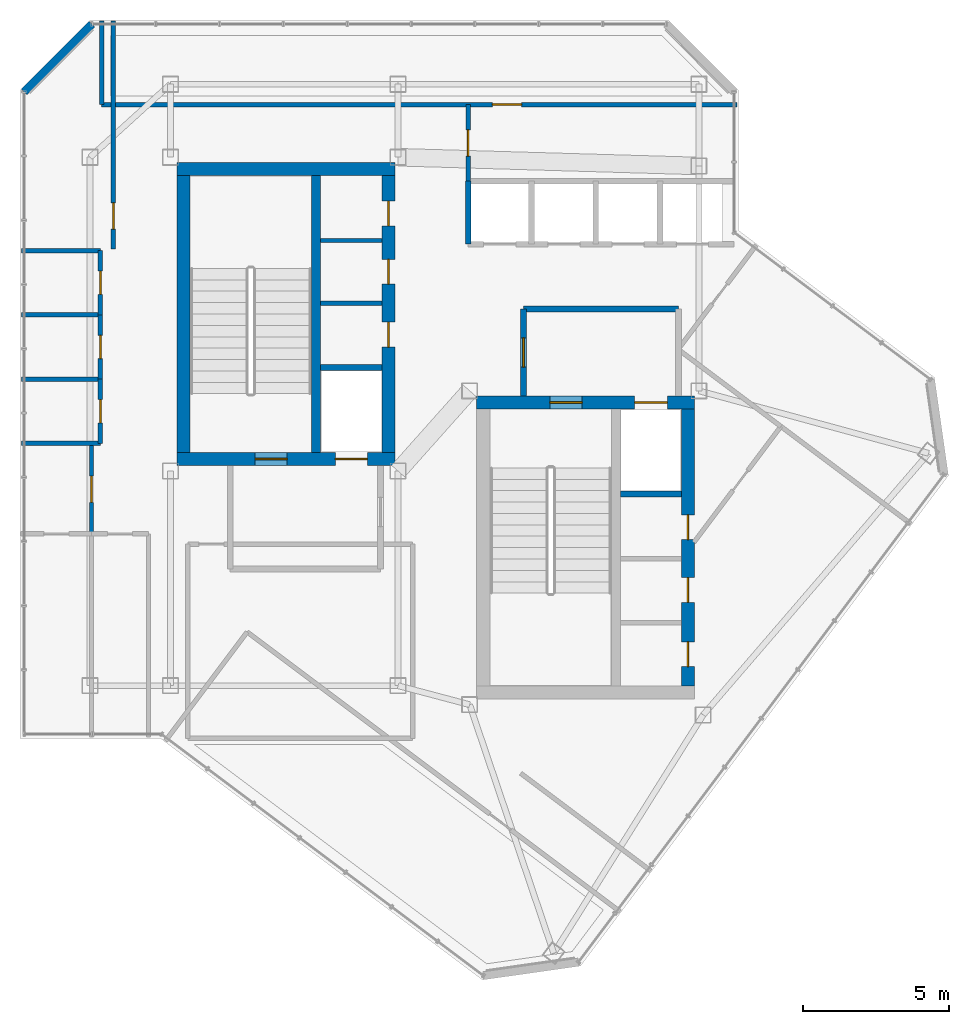
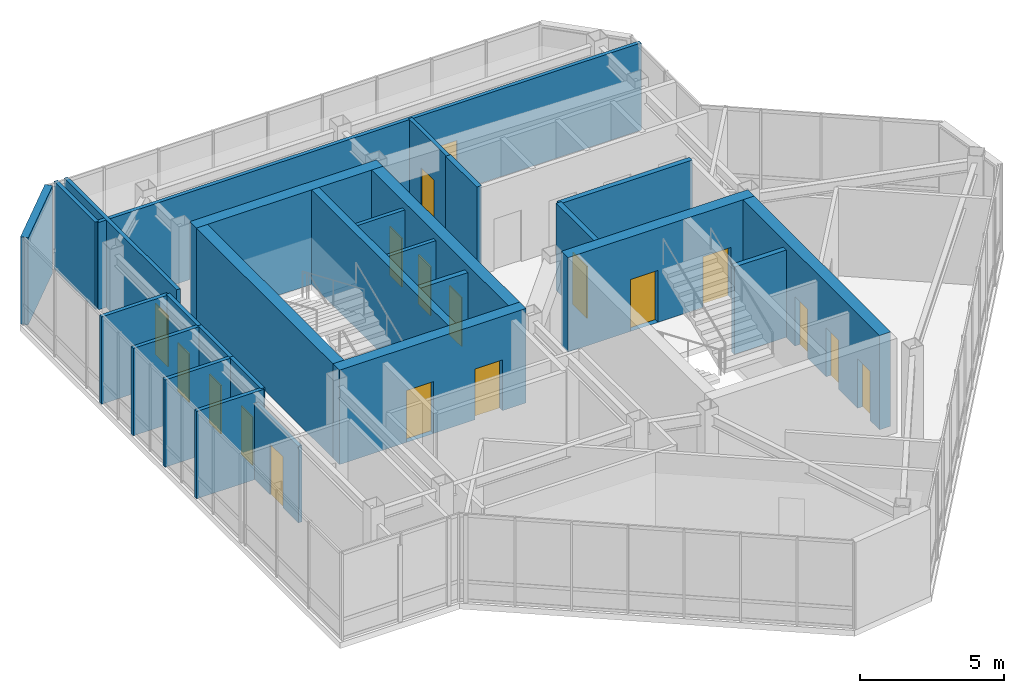
# One storey, part 21 of 24: 27 walls, 18 doors, 18 openings.
"""IFC4 building model written with IfcOpenShell, lengths in metres."""

from ifc_helpers import new_model, si_unit, direction, frame, frame_2d, origin, place, context, subcontext, project, spatial, rectangle, extrude, material, layer, layer_set, type_object, element, fill, save


model = new_model("IFC4")

# Units and contexts
model_context = context("Model", 3, precision=1e-05, world=origin(), true_north=direction((0.0, 1.0)))
body_context = subcontext(model_context, "Body", "Model", "MODEL_VIEW")
ifc_project = project(units=[si_unit("LENGTHUNIT", "METRE"), si_unit("AREAUNIT", "SQUARE_METRE"), si_unit("VOLUMEUNIT", "CUBIC_METRE"), si_unit("PLANEANGLEUNIT", "RADIAN"), si_unit("MASSUNIT", "GRAM", prefix="KILO")], contexts=[model_context])

# Site, building, storey
site_placement = place(None, origin())
site = spatial("IfcSite", under=ifc_project, at=site_placement, CompositionType="ELEMENT")
building_placement = place(site_placement, origin())
building = spatial("IfcBuilding", under=site, at=building_placement, Name="Hatsunagi Terrace Concourse", CompositionType="ELEMENT")
storey_placement = place(building_placement, frame((0.0, 0.0, 285.949951171875)))
storey = spatial("IfcBuildingStorey", under=building, at=storey_placement, Name="L75", CompositionType="ELEMENT", Elevation=285.949951171875)

# Wall, openings, doors
ifc_material_1 = material(Name="Concrete Fc42", Category="concrete")
ifc_layer_1 = layer(ifc_material_1, 0.449951171875)
ifc_layer_set_1 = layer_set([ifc_layer_1], Name="CoreShearWall_Fc42_450")
wall_type_1 = type_object("IfcWallType", Name="CoreShearWall_Fc42_450", PredefinedType="SHEAR", material=ifc_layer_set_1)
wall_1_placement = place(storey_placement, frame((25.77001953125, 32.965087890625, 0.0), z_axis=(0.0, 0.0, 1.0), x_axis=(1.0, 0.0, 0.0)))
wall_1 = element("IfcWall", 1, at=wall_1_placement, inside=storey, type_object=wall_type_1, Name="Core A Shear Wall S L75", PredefinedType="SHEAR", context=body_context, shape_type="SweptSolid", body=[
    extrude(rectangle(XDim=7.47998046875, YDim=0.449951171875, at=frame_2d((3.739990234375, 0.0))), origin(), (0.0, 0.0, 1.0), 4.0),
])
opening_1_placement = place(wall_1_placement, frame((2.679931640625, 0.0, 0.0)))
opening_1 = element("IfcOpeningElement", 2, at=opening_1_placement, cuts=wall_1, Name="Opening DR-110S", PredefinedType="OPENING", context=body_context, shape_type="SweptSolid", body=[
    extrude(rectangle(XDim=1.10009765625, YDim=2.199951171875, at=frame_2d((0.550048828125, 1.10009765625))), frame((0.0, 0.23486328125, 0.0), z_axis=(0.0, -1.0, 0.0), x_axis=(1.0, 0.0, 0.0)), (0.0, 0.0, 1.0), 0.469970703125),
])
opening_2_placement = place(wall_1_placement, frame((5.429931640625, 0.0, 0.0)))
opening_2 = element("IfcOpeningElement", 3, at=opening_2_placement, cuts=wall_1, Name="Opening LD-01", PredefinedType="OPENING", context=body_context, shape_type="SweptSolid", body=[
    extrude(rectangle(XDim=1.10009765625, YDim=2.14990234375, at=frame_2d((0.550048828125, 1.074951171875))), frame((0.0, 0.23486328125, 0.0), z_axis=(0.0, -1.0, 0.0), x_axis=(1.0, 0.0, 0.0)), (0.0, 0.0, 1.0), 0.469970703125),
])
ifc_material_2 = material(Name="Stainless steel", Category="steel")
door_type_1 = type_object("IfcDoorType", Name="LiftLandingDoor_LD01", OperationType="SLIDING_TO_LEFT", PredefinedType="USERDEFINED", material=ifc_material_2)
door_1_placement = place(opening_2_placement, origin())
door_1 = element("IfcDoor", 4, at=door_1_placement, inside=storey, type_object=door_type_1, Name="Lift landing door FF-01 L75", ObjectType="SLIDING_LANDING_DOOR", OperationType="SLIDING_TO_LEFT", OverallHeight=2.14990234375, OverallWidth=1.10009765625, PredefinedType="USERDEFINED", context=body_context, shape_type="SweptSolid", body=[
    extrude(rectangle(XDim=1.10009765625, YDim=2.14990234375, at=frame_2d((0.550048828125, 1.074951171875))), frame((0.0, 0.02490234375, 0.0), z_axis=(0.0, -1.0, 0.0), x_axis=(1.0, 0.0, 0.0)), (0.0, 0.0, 1.0), 0.050048828125),
])
fill(opening_2, door_1)
ifc_material_3 = material(Name="Painted steel", Category="steel")
door_type_2 = type_object("IfcDoorType", Name="StairFireDoor_EI60_1100", OperationType="NOTDEFINED", PredefinedType="DOOR", material=ifc_material_3)
door_2_placement = place(opening_1_placement, origin())
door_2 = element("IfcDoor", 5, at=door_2_placement, inside=storey, type_object=door_type_2, Name="Stair ST-A Exit Door L75", OperationType="SINGLE_SWING_LEFT", OverallHeight=2.199951171875, OverallWidth=1.10009765625, PredefinedType="DOOR", context=body_context, shape_type="SweptSolid", body=[
    extrude(rectangle(XDim=1.10009765625, YDim=2.199951171875, at=frame_2d((0.550048828125, 1.10009765625))), frame((0.0, 0.02490234375, 0.0), z_axis=(0.0, -1.0, 0.0), x_axis=(1.0, 0.0, 0.0)), (0.0, 0.0, 1.0), 0.050048828125),
])
fill(opening_1, door_2)

# Walls
wall_2_placement = place(storey_placement, frame((25.77001953125, 42.89501953125, 0.0), z_axis=(0.0, 0.0, 1.0), x_axis=(1.0, 0.0, 0.0)))
element("IfcWall", 6, at=wall_2_placement, inside=storey, type_object=wall_type_1, Name="Core A Shear Wall N L75", PredefinedType="SHEAR", context=body_context, shape_type="SweptSolid", body=[
    extrude(rectangle(XDim=7.47998046875, YDim=0.449951171875, at=frame_2d((3.739990234375, 0.0))), origin(), (0.0, 0.0, 1.0), 4.0),
])
wall_3_placement = place(storey_placement, frame((25.9951171875, 33.18994140625, 0.0), z_axis=(0.0, 0.0, 1.0), x_axis=(0.0, 1.0, 0.0)))
element("IfcWall", 7, at=wall_3_placement, inside=storey, type_object=wall_type_1, Name="Core A Shear Wall W L75", PredefinedType="SHEAR", context=body_context, shape_type="SweptSolid", body=[
    extrude(rectangle(XDim=9.47998046875, YDim=0.449951171875, at=frame_2d((4.739990234375, 0.0))), origin(), (0.0, 0.0, 1.0), 4.0),
])

# Wall, openings, doors
wall_4_placement = place(storey_placement, frame((33.02490234375, 33.18994140625, 0.0), z_axis=(0.0, 0.0, 1.0), x_axis=(0.0, 1.0, 0.0)))
wall_4 = element("IfcWall", 8, at=wall_4_placement, inside=storey, type_object=wall_type_1, Name="Core A Shear Wall E L75", PredefinedType="SHEAR", context=body_context, shape_type="SweptSolid", body=[
    extrude(rectangle(XDim=9.47998046875, YDim=0.449951171875, at=frame_2d((4.739990234375, 0.0))), origin(), (0.0, 0.0, 1.0), 4.0),
])
opening_3_placement = place(wall_4_placement, frame((3.610107421875, 0.0, 0.0)))
opening_3 = element("IfcOpeningElement", 9, at=opening_3_placement, cuts=wall_4, Name="Opening DR-085", PredefinedType="OPENING", context=body_context, shape_type="SweptSolid", body=[
    extrude(rectangle(XDim=0.85009765625, YDim=2.080078125, at=frame_2d((0.425048828125, 1.0400390625))), frame((0.0, 0.23486328125, 0.0), z_axis=(0.0, -1.0, 0.0), x_axis=(1.0, 0.0, 0.0)), (0.0, 0.0, 1.0), 0.469970703125),
])
opening_4_placement = place(wall_4_placement, frame((5.760009765625, 0.0, 0.0)))
opening_4 = element("IfcOpeningElement", 10, at=opening_4_placement, cuts=wall_4, Name="Opening DR-085", PredefinedType="OPENING", context=body_context, shape_type="SweptSolid", body=[
    extrude(rectangle(XDim=0.85009765625, YDim=2.080078125, at=frame_2d((0.425048828125, 1.0400390625))), frame((0.0, 0.23486328125, 0.0), z_axis=(0.0, -1.0, 0.0), x_axis=(1.0, 0.0, 0.0)), (0.0, 0.0, 1.0), 0.469970703125),
])
opening_5_placement = place(wall_4_placement, frame((7.760009765625, 0.0, 0.0)))
opening_5 = element("IfcOpeningElement", 11, at=opening_5_placement, cuts=wall_4, Name="Opening DR-085", PredefinedType="OPENING", context=body_context, shape_type="SweptSolid", body=[
    extrude(rectangle(XDim=0.85009765625, YDim=2.080078125, at=frame_2d((0.425048828125, 1.0400390625))), frame((0.0, 0.23486328125, 0.0), z_axis=(0.0, -1.0, 0.0), x_axis=(1.0, 0.0, 0.0)), (0.0, 0.0, 1.0), 0.469970703125),
])
ifc_material_4 = material(Name="Painted steel", Category="steel")
door_type_3 = type_object("IfcDoorType", Name="RiserAccessDoor_EI60_850", OperationType="NOTDEFINED", PredefinedType="DOOR", material=ifc_material_4)
door_3_placement = place(opening_3_placement, origin())
door_3 = element("IfcDoor", 12, at=door_3_placement, inside=storey, type_object=door_type_3, Name="Core A Riser Door L75-1", OperationType="SINGLE_SWING_LEFT", OverallHeight=2.080078125, OverallWidth=0.85009765625, PredefinedType="DOOR", context=body_context, shape_type="SweptSolid", body=[
    extrude(rectangle(XDim=0.85009765625, YDim=2.080078125, at=frame_2d((0.425048828125, 1.0400390625))), frame((0.0, 0.02490234375, 0.0), z_axis=(0.0, -1.0, 0.0), x_axis=(1.0, 0.0, 0.0)), (0.0, 0.0, 1.0), 0.050048828125),
])
fill(opening_3, door_3)
door_4_placement = place(opening_4_placement, origin())
door_4 = element("IfcDoor", 13, at=door_4_placement, inside=storey, type_object=door_type_3, Name="Core A Riser Door L75-2", OperationType="SINGLE_SWING_LEFT", OverallHeight=2.080078125, OverallWidth=0.85009765625, PredefinedType="DOOR", context=body_context, shape_type="SweptSolid", body=[
    extrude(rectangle(XDim=0.85009765625, YDim=2.080078125, at=frame_2d((0.425048828125, 1.0400390625))), frame((0.0, 0.02490234375, 0.0), z_axis=(0.0, -1.0, 0.0), x_axis=(1.0, 0.0, 0.0)), (0.0, 0.0, 1.0), 0.050048828125),
])
fill(opening_4, door_4)
door_5_placement = place(opening_5_placement, origin())
door_5 = element("IfcDoor", 14, at=door_5_placement, inside=storey, type_object=door_type_3, Name="Core A Riser Door L75-3", OperationType="SINGLE_SWING_LEFT", OverallHeight=2.080078125, OverallWidth=0.85009765625, PredefinedType="DOOR", context=body_context, shape_type="SweptSolid", body=[
    extrude(rectangle(XDim=0.85009765625, YDim=2.080078125, at=frame_2d((0.425048828125, 1.0400390625))), frame((0.0, 0.02490234375, 0.0), z_axis=(0.0, -1.0, 0.0), x_axis=(1.0, 0.0, 0.0)), (0.0, 0.0, 1.0), 0.050048828125),
])
fill(opening_5, door_5)

wall_5_placement = place(storey_placement, frame((36.0400390625, 34.89501953125, 0.0), z_axis=(0.0, 0.0, 1.0), x_axis=(1.0, 0.0, 0.0)))
wall_5 = element("IfcWall", 15, at=wall_5_placement, inside=storey, type_object=wall_type_1, Name="Core B Shear Wall N L75", PredefinedType="SHEAR", context=body_context, shape_type="SweptSolid", body=[
    extrude(rectangle(XDim=7.4599609375, YDim=0.449951171875, at=frame_2d((3.72998046875, 0.0))), origin(), (0.0, 0.0, 1.0), 4.0),
])
opening_6_placement = place(wall_5_placement, frame((2.510009765625, 0.0, 0.0)))
opening_6 = element("IfcOpeningElement", 16, at=opening_6_placement, cuts=wall_5, Name="Opening DR-110S", PredefinedType="OPENING", context=body_context, shape_type="SweptSolid", body=[
    extrude(rectangle(XDim=1.10009765625, YDim=2.199951171875, at=frame_2d((0.550048828125, 1.10009765625))), frame((0.0, 0.23486328125, 0.0), z_axis=(0.0, -1.0, 0.0), x_axis=(1.0, 0.0, 0.0)), (0.0, 0.0, 1.0), 0.469970703125),
])
opening_7_placement = place(wall_5_placement, frame((5.409912109375, 0.0, 0.0)))
opening_7 = element("IfcOpeningElement", 17, at=opening_7_placement, cuts=wall_5, Name="Opening LD-02", PredefinedType="OPENING", context=body_context, shape_type="SweptSolid", body=[
    extrude(rectangle(XDim=1.1201171875, YDim=2.14990234375, at=frame_2d((0.56005859375, 1.074951171875))), frame((0.0, 0.23486328125, 0.0), z_axis=(0.0, -1.0, 0.0), x_axis=(1.0, 0.0, 0.0)), (0.0, 0.0, 1.0), 0.469970703125),
])
ifc_material_5 = material(Name="Stainless steel", Category="steel")
door_type_4 = type_object("IfcDoorType", Name="LiftLandingDoor_LD02", OperationType="SLIDING_TO_RIGHT", PredefinedType="USERDEFINED", material=ifc_material_5)
door_6_placement = place(opening_7_placement, origin())
door_6 = element("IfcDoor", 18, at=door_6_placement, inside=storey, type_object=door_type_4, Name="Lift landing door FF-02 L75", ObjectType="SLIDING_LANDING_DOOR", OperationType="SLIDING_TO_RIGHT", OverallHeight=2.14990234375, OverallWidth=1.1201171875, PredefinedType="USERDEFINED", context=body_context, shape_type="SweptSolid", body=[
    extrude(rectangle(XDim=1.1201171875, YDim=2.14990234375, at=frame_2d((0.56005859375, 1.074951171875))), frame((0.0, 0.02490234375, 0.0), z_axis=(0.0, -1.0, 0.0), x_axis=(1.0, 0.0, 0.0)), (0.0, 0.0, 1.0), 0.050048828125),
])
fill(opening_7, door_6)
door_7_placement = place(opening_6_placement, origin())
door_7 = element("IfcDoor", 19, at=door_7_placement, inside=storey, type_object=door_type_2, Name="Stair ST-B Exit Door L75", OperationType="SINGLE_SWING_RIGHT", OverallHeight=2.199951171875, OverallWidth=1.10009765625, PredefinedType="DOOR", context=body_context, shape_type="SweptSolid", body=[
    extrude(rectangle(XDim=1.10009765625, YDim=2.199951171875, at=frame_2d((0.550048828125, 1.10009765625))), frame((0.0, 0.02490234375, 0.0), z_axis=(0.0, -1.0, 0.0), x_axis=(1.0, 0.0, 0.0)), (0.0, 0.0, 1.0), 0.050048828125),
])
fill(opening_6, door_7)

wall_6_placement = place(storey_placement, frame((43.27490234375, 25.18994140625, 0.0), z_axis=(0.0, 0.0, 1.0), x_axis=(0.0, 1.0, 0.0)))
wall_6 = element("IfcWall", 20, at=wall_6_placement, inside=storey, type_object=wall_type_1, Name="Core B Shear Wall E L75", PredefinedType="SHEAR", context=body_context, shape_type="SweptSolid", body=[
    extrude(rectangle(XDim=9.47998046875, YDim=0.449951171875, at=frame_2d((4.739990234375, 0.0))), origin(), (0.0, 0.0, 1.0), 4.0),
])
opening_8_placement = place(wall_6_placement, frame((0.659912109375, 0.0, 0.0)))
opening_8 = element("IfcOpeningElement", 21, at=opening_8_placement, cuts=wall_6, Name="Opening DR-085", PredefinedType="OPENING", context=body_context, shape_type="SweptSolid", body=[
    extrude(rectangle(XDim=0.85009765625, YDim=2.080078125, at=frame_2d((0.425048828125, 1.0400390625))), frame((0.0, 0.23486328125, 0.0), z_axis=(0.0, -1.0, 0.0), x_axis=(1.0, 0.0, 0.0)), (0.0, 0.0, 1.0), 0.469970703125),
])
opening_9_placement = place(wall_6_placement, frame((2.860107421875, 0.0, 0.0)))
opening_9 = element("IfcOpeningElement", 22, at=opening_9_placement, cuts=wall_6, Name="Opening DR-085", PredefinedType="OPENING", context=body_context, shape_type="SweptSolid", body=[
    extrude(rectangle(XDim=0.85009765625, YDim=2.080078125, at=frame_2d((0.425048828125, 1.0400390625))), frame((0.0, 0.23486328125, 0.0), z_axis=(0.0, -1.0, 0.0), x_axis=(1.0, 0.0, 0.0)), (0.0, 0.0, 1.0), 0.469970703125),
])
opening_10_placement = place(wall_6_placement, frame((5.010009765625, 0.0, 0.0)))
opening_10 = element("IfcOpeningElement", 23, at=opening_10_placement, cuts=wall_6, Name="Opening DR-085", PredefinedType="OPENING", context=body_context, shape_type="SweptSolid", body=[
    extrude(rectangle(XDim=0.85009765625, YDim=2.080078125, at=frame_2d((0.425048828125, 1.0400390625))), frame((0.0, 0.23486328125, 0.0), z_axis=(0.0, -1.0, 0.0), x_axis=(1.0, 0.0, 0.0)), (0.0, 0.0, 1.0), 0.469970703125),
])
door_8_placement = place(opening_8_placement, origin())
door_8 = element("IfcDoor", 24, at=door_8_placement, inside=storey, type_object=door_type_3, Name="Core B Riser Door L75-1", OperationType="SINGLE_SWING_RIGHT", OverallHeight=2.080078125, OverallWidth=0.85009765625, PredefinedType="DOOR", context=body_context, shape_type="SweptSolid", body=[
    extrude(rectangle(XDim=0.85009765625, YDim=2.080078125, at=frame_2d((0.425048828125, 1.0400390625))), frame((0.0, 0.02490234375, 0.0), z_axis=(0.0, -1.0, 0.0), x_axis=(1.0, 0.0, 0.0)), (0.0, 0.0, 1.0), 0.050048828125),
])
fill(opening_8, door_8)
door_9_placement = place(opening_9_placement, origin())
door_9 = element("IfcDoor", 25, at=door_9_placement, inside=storey, type_object=door_type_3, Name="Core B Riser Door L75-2", OperationType="SINGLE_SWING_RIGHT", OverallHeight=2.080078125, OverallWidth=0.85009765625, PredefinedType="DOOR", context=body_context, shape_type="SweptSolid", body=[
    extrude(rectangle(XDim=0.85009765625, YDim=2.080078125, at=frame_2d((0.425048828125, 1.0400390625))), frame((0.0, 0.02490234375, 0.0), z_axis=(0.0, -1.0, 0.0), x_axis=(1.0, 0.0, 0.0)), (0.0, 0.0, 1.0), 0.050048828125),
])
fill(opening_9, door_9)
door_10_placement = place(opening_10_placement, origin())
door_10 = element("IfcDoor", 26, at=door_10_placement, inside=storey, type_object=door_type_3, Name="Core B Riser Door L75-3", OperationType="SINGLE_SWING_RIGHT", OverallHeight=2.080078125, OverallWidth=0.85009765625, PredefinedType="DOOR", context=body_context, shape_type="SweptSolid", body=[
    extrude(rectangle(XDim=0.85009765625, YDim=2.080078125, at=frame_2d((0.425048828125, 1.0400390625))), frame((0.0, 0.02490234375, 0.0), z_axis=(0.0, -1.0, 0.0), x_axis=(1.0, 0.0, 0.0)), (0.0, 0.0, 1.0), 0.050048828125),
])
fill(opening_10, door_10)

# Walls
ifc_material_6 = material(Name="Concrete Fc48", Category="concrete")
ifc_layer_2 = layer(ifc_material_6, 0.300048828125)
ifc_layer_set_2 = layer_set([ifc_layer_2], Name="CoreStairDivider_Fc48_300")
wall_type_2 = type_object("IfcWallType", Name="CoreStairDivider_Fc48_300", PredefinedType="SHEAR", material=ifc_layer_set_2)
wall_7_placement = place(storey_placement, frame((30.5400390625, 33.18994140625, 0.0), z_axis=(0.0, 0.0, 1.0), x_axis=(0.0, 1.0, 0.0)))
element("IfcWall", 27, at=wall_7_placement, inside=storey, type_object=wall_type_2, Name="Core A Shear Wall D L75", PredefinedType="SHEAR", context=body_context, shape_type="SweptSolid", body=[
    extrude(rectangle(XDim=9.47998046875, YDim=0.300048828125, at=frame_2d((4.739990234375, 0.0))), origin(), (0.0, 0.0, 1.0), 4.0),
])
ifc_material_7 = material(Name="Acoustic mineral board", Category="gypsum")
ifc_layer_3 = layer(ifc_material_7, 0.14990234375)
ifc_layer_set_3 = layer_set([ifc_layer_3], Name="PartitionWall_EI60_150")
wall_type_3 = type_object("IfcWallType", Name="PartitionWall_EI60_150", PredefinedType="PARTITIONING", material=ifc_layer_set_3)
for number, where, z_axis, x_axis, name in (
    (28, (30.699951171875, 38.300048828125, 0.0), (0.0, 0.0, 1.0), (1.0, 0.0, 0.0), "Interior Partition IW-L75-002"),
    (29, (30.699951171875, 40.449951171875, 0.0), (0.0, 0.0, 1.0), (1.0, 0.0, 0.0), "Interior Partition IW-L75-003"),
):
    element("IfcWall", number, at=place(storey_placement, frame(where, z_axis=z_axis, x_axis=x_axis)), inside=storey, type_object=wall_type_3, Name=name, PredefinedType="PARTITIONING", context=body_context, shape_type="SweptSolid", body=[
        extrude(rectangle(XDim=2.10009765625, YDim=0.14990234375, at=frame_2d((1.050048828125, 0.0))), origin(), (0.0, 0.0, 1.0), 3.699951171875),
    ])
for number, where, z_axis, x_axis, name in (
    (30, (20.449951171875, 33.5, 0.0), (0.0, 0.0, 1.0), (1.0, 0.0, 0.0), "Interior Partition IW-L75-019"),
    (31, (20.449951171875, 40.10009765625, 0.0), (0.0, 0.0, 1.0), (1.0, 0.0, 0.0), "Interior Partition IW-L75-020"),
    (32, (20.449951171875, 35.699951171875, 0.0), (0.0, 0.0, 1.0), (1.0, 0.0, 0.0), "Interior Partition IW-L75-021"),
    (33, (20.449951171875, 37.89990234375, 0.0), (0.0, 0.0, 1.0), (1.0, 0.0, 0.0), "Interior Partition IW-L75-022"),
):
    element("IfcWall", number, at=place(storey_placement, frame(where, z_axis=z_axis, x_axis=x_axis)), inside=storey, type_object=wall_type_3, Name=name, PredefinedType="PARTITIONING", context=body_context, shape_type="SweptSolid", body=[
        extrude(rectangle(XDim=2.699951171875, YDim=0.14990234375, at=frame_2d((1.35009765625, 0.0))), origin(), (0.0, 0.0, 1.0), 3.699951171875),
    ])

# Wall, opening, door
wall_8_placement = place(storey_placement, frame((23.14990234375, 33.5, 0.0), z_axis=(0.0, 0.0, 1.0), x_axis=(0.0, 1.0, 0.0)))
wall_8 = element("IfcWall", 34, at=wall_8_placement, inside=storey, type_object=wall_type_3, Name="Interior Partition IW-L75-023", PredefinedType="PARTITIONING", context=body_context, shape_type="SweptSolid", body=[
    extrude(rectangle(XDim=2.199951171875, YDim=0.14990234375, at=frame_2d((1.10009765625, 0.0))), origin(), (0.0, 0.0, 1.0), 3.699951171875),
])
opening_11_placement = place(wall_8_placement, frame((0.699951171875, 0.0, 0.0)))
opening_11 = element("IfcOpeningElement", 35, at=opening_11_placement, cuts=wall_8, Name="Opening DR-080", PredefinedType="OPENING", context=body_context, shape_type="SweptSolid", body=[
    extrude(rectangle(XDim=0.800048828125, YDim=2.06005859375, at=frame_2d((0.39990234375, 1.030029296875))), frame((0.0, 0.0849609375, 0.0), z_axis=(0.0, -1.0, 0.0), x_axis=(1.0, 0.0, 0.0)), (0.0, 0.0, 1.0), 0.169921875),
])
ifc_material_8 = material(Name="Hardwood timber", Category="wood")
door_type_5 = type_object("IfcDoorType", Name="BathroomDoor_800", OperationType="NOTDEFINED", PredefinedType="DOOR", material=ifc_material_8)
door_11_placement = place(opening_11_placement, origin())
door_11 = element("IfcDoor", 36, at=door_11_placement, inside=storey, type_object=door_type_5, Name="Accessible WC Door L75", OperationType="SINGLE_SWING_LEFT", OverallHeight=2.06005859375, OverallWidth=0.800048828125, PredefinedType="DOOR", context=body_context, shape_type="SweptSolid", body=[
    extrude(rectangle(XDim=0.800048828125, YDim=2.06005859375, at=frame_2d((0.39990234375, 1.030029296875))), frame((0.0, 0.02490234375, 0.0), z_axis=(0.0, -1.0, 0.0), x_axis=(1.0, 0.0, 0.0)), (0.0, 0.0, 1.0), 0.050048828125),
])
fill(opening_11, door_11)

wall_9_placement = place(storey_placement, frame((23.14990234375, 35.699951171875, 0.0), z_axis=(0.0, 0.0, 1.0), x_axis=(0.0, 1.0, 0.0)))
wall_9 = element("IfcWall", 37, at=wall_9_placement, inside=storey, type_object=wall_type_3, Name="Interior Partition IW-L75-024", PredefinedType="PARTITIONING", context=body_context, shape_type="SweptSolid", body=[
    extrude(rectangle(XDim=2.199951171875, YDim=0.14990234375, at=frame_2d((1.10009765625, 0.0))), origin(), (0.0, 0.0, 1.0), 3.699951171875),
])
opening_12_placement = place(wall_9_placement, frame((0.699951171875, 0.0, 0.0)))
opening_12 = element("IfcOpeningElement", 38, at=opening_12_placement, cuts=wall_9, Name="Opening DR-080", PredefinedType="OPENING", context=body_context, shape_type="SweptSolid", body=[
    extrude(rectangle(XDim=0.800048828125, YDim=2.06005859375, at=frame_2d((0.39990234375, 1.030029296875))), frame((0.0, 0.0849609375, 0.0), z_axis=(0.0, -1.0, 0.0), x_axis=(1.0, 0.0, 0.0)), (0.0, 0.0, 1.0), 0.169921875),
])
door_12_placement = place(opening_12_placement, origin())
door_12 = element("IfcDoor", 39, at=door_12_placement, inside=storey, type_object=door_type_5, Name="Female Restroom Door L75", OperationType="SINGLE_SWING_LEFT", OverallHeight=2.06005859375, OverallWidth=0.800048828125, PredefinedType="DOOR", context=body_context, shape_type="SweptSolid", body=[
    extrude(rectangle(XDim=0.800048828125, YDim=2.06005859375, at=frame_2d((0.39990234375, 1.030029296875))), frame((0.0, 0.02490234375, 0.0), z_axis=(0.0, -1.0, 0.0), x_axis=(1.0, 0.0, 0.0)), (0.0, 0.0, 1.0), 0.050048828125),
])
fill(opening_12, door_12)

wall_10_placement = place(storey_placement, frame((23.14990234375, 37.89990234375, 0.0), z_axis=(0.0, 0.0, 1.0), x_axis=(0.0, 1.0, 0.0)))
wall_10 = element("IfcWall", 40, at=wall_10_placement, inside=storey, type_object=wall_type_3, Name="Interior Partition IW-L75-025", PredefinedType="PARTITIONING", context=body_context, shape_type="SweptSolid", body=[
    extrude(rectangle(XDim=2.2001953125, YDim=0.14990234375, at=frame_2d((1.10009765625, 0.0))), origin(), (0.0, 0.0, 1.0), 3.699951171875),
])
opening_13_placement = place(wall_10_placement, frame((0.699951171875, 0.0, 0.0)))
opening_13 = element("IfcOpeningElement", 41, at=opening_13_placement, cuts=wall_10, Name="Opening DR-080", PredefinedType="OPENING", context=body_context, shape_type="SweptSolid", body=[
    extrude(rectangle(XDim=0.800048828125, YDim=2.06005859375, at=frame_2d((0.39990234375, 1.030029296875))), frame((0.0, 0.0849609375, 0.0), z_axis=(0.0, -1.0, 0.0), x_axis=(1.0, 0.0, 0.0)), (0.0, 0.0, 1.0), 0.169921875),
])
door_13_placement = place(opening_13_placement, origin())
door_13 = element("IfcDoor", 42, at=door_13_placement, inside=storey, type_object=door_type_5, Name="Male Restroom Door L75", OperationType="SINGLE_SWING_RIGHT", OverallHeight=2.06005859375, OverallWidth=0.800048828125, PredefinedType="DOOR", context=body_context, shape_type="SweptSolid", body=[
    extrude(rectangle(XDim=0.800048828125, YDim=2.06005859375, at=frame_2d((0.39990234375, 1.030029296875))), frame((0.0, 0.02490234375, 0.0), z_axis=(0.0, -1.0, 0.0), x_axis=(1.0, 0.0, 0.0)), (0.0, 0.0, 1.0), 0.050048828125),
])
fill(opening_13, door_13)

wall_11_placement = place(storey_placement, frame((23.199951171875, 45.10009765625, 0.0), z_axis=(0.0, 0.0, 1.0), x_axis=(1.0, 0.0, 0.0)))
wall_11 = element("IfcWall", 43, at=wall_11_placement, inside=storey, type_object=wall_type_3, Name="Interior Partition IW-L75-030", PredefinedType="PARTITIONING", context=body_context, shape_type="SweptSolid", body=[
    extrude(rectangle(XDim=21.760009765625, YDim=0.14990234375, at=frame_2d((10.8798828125, 0.0))), origin(), (0.0, 0.0, 1.0), 3.699951171875),
])
opening_14_placement = place(wall_11_placement, frame((13.3798828125, 0.0, 0.0)))
opening_14 = element("IfcOpeningElement", 44, at=opening_14_placement, cuts=wall_11, Name="Opening DR-100S", PredefinedType="OPENING", context=body_context, shape_type="SweptSolid", body=[
    extrude(rectangle(XDim=1.0, YDim=2.14990234375, at=frame_2d((0.5, 1.074951171875))), frame((0.0, 0.0849609375, 0.0), z_axis=(0.0, -1.0, 0.0), x_axis=(1.0, 0.0, 0.0)), (0.0, 0.0, 1.0), 0.169921875),
])
ifc_material_9 = material(Name="Hardwood timber", Category="wood")
door_type_6 = type_object("IfcDoorType", Name="SuiteDoor_EI30_1000", OperationType="NOTDEFINED", PredefinedType="DOOR", material=ifc_material_9)
door_14_placement = place(opening_14_placement, origin())
door_14 = element("IfcDoor", 45, at=door_14_placement, inside=storey, type_object=door_type_6, Name="Observation Bar L75-CRN1 Door", OperationType="SINGLE_SWING_RIGHT", OverallHeight=2.14990234375, OverallWidth=1.0, PredefinedType="DOOR", context=body_context, shape_type="SweptSolid", body=[
    extrude(rectangle(XDim=1.0, YDim=2.14990234375, at=frame_2d((0.5, 1.074951171875))), frame((0.0, 0.02490234375, 0.0), z_axis=(0.0, -1.0, 0.0), x_axis=(1.0, 0.0, 0.0)), (0.0, 0.0, 1.0), 0.050048828125),
])
fill(opening_14, door_14)

# Wall
wall_12_placement = place(storey_placement, frame((23.199951171875, 45.10009765625, 0.0), z_axis=(0.0, 0.0, 1.0), x_axis=(0.0, 1.0, 0.0)))
element("IfcWall", 46, at=wall_12_placement, inside=storey, type_object=wall_type_3, Name="Interior Partition IW-L75-031", PredefinedType="PARTITIONING", context=body_context, shape_type="SweptSolid", body=[
    extrude(rectangle(XDim=2.85986328125, YDim=0.14990234375, at=frame_2d((1.429931640625, 0.0))), origin(), (0.0, 0.0, 1.0), 3.699951171875),
])

# Wall, opening, door
wall_13_placement = place(storey_placement, frame((35.75, 42.47998046875, 0.0), z_axis=(0.0, 0.0, 1.0), x_axis=(0.0, 1.0, 0.0)))
wall_13 = element("IfcWall", 47, at=wall_13_placement, inside=storey, type_object=wall_type_3, Name="Interior Partition IW-L75-032", PredefinedType="PARTITIONING", context=body_context, shape_type="SweptSolid", body=[
    extrude(rectangle(XDim=2.6201171875, YDim=0.14990234375, at=frame_2d((1.31005859375, 0.0))), origin(), (0.0, 0.0, 1.0), 3.699951171875),
])
opening_15_placement = place(wall_13_placement, frame((0.860107421875, 0.0, 0.0)))
opening_15 = element("IfcOpeningElement", 48, at=opening_15_placement, cuts=wall_13, Name="Opening DR-090", PredefinedType="OPENING", context=body_context, shape_type="SweptSolid", body=[
    extrude(rectangle(XDim=0.89990234375, YDim=2.14990234375, at=frame_2d((0.449951171875, 1.074951171875))), frame((0.0, 0.0849609375, 0.0), z_axis=(0.0, -1.0, 0.0), x_axis=(1.0, 0.0, 0.0)), (0.0, 0.0, 1.0), 0.169921875),
])
ifc_material_10 = material(Name="Hardwood timber", Category="wood")
door_type_7 = type_object("IfcDoorType", Name="CrownPavilionDoor_EI30_900", OperationType="NOTDEFINED", PredefinedType="DOOR", material=ifc_material_10)
door_15_placement = place(opening_15_placement, origin())
door_15 = element("IfcDoor", 49, at=door_15_placement, inside=storey, type_object=door_type_7, Name="Crown Tea Salon L75-CRTEA Door", OperationType="SINGLE_SWING_RIGHT", OverallHeight=2.14990234375, OverallWidth=0.89990234375, PredefinedType="DOOR", context=body_context, shape_type="SweptSolid", body=[
    extrude(rectangle(XDim=0.89990234375, YDim=2.14990234375, at=frame_2d((0.449951171875, 1.074951171875))), frame((0.0, 0.02490234375, 0.0), z_axis=(0.0, -1.0, 0.0), x_axis=(1.0, 0.0, 0.0)), (0.0, 0.0, 1.0), 0.050048828125),
])
fill(opening_15, door_15)

wall_14_placement = place(storey_placement, frame((22.85009765625, 30.39990234375, 0.0), z_axis=(0.0, 0.0, 1.0), x_axis=(0.0, 1.0, 0.0)))
wall_14 = element("IfcWall", 50, at=wall_14_placement, inside=storey, type_object=wall_type_3, Name="Interior Partition IW-L75-037", PredefinedType="PARTITIONING", context=body_context, shape_type="SweptSolid", body=[
    extrude(rectangle(XDim=3.050048828125, YDim=0.14990234375, at=frame_2d((1.52490234375, 0.0))), origin(), (0.0, 0.0, 1.0), 3.2451171875),
])
opening_16_placement = place(wall_14_placement, frame((1.074951171875, 0.0, 0.0)))
opening_16 = element("IfcOpeningElement", 51, at=opening_16_placement, cuts=wall_14, Name="Opening DR-090", PredefinedType="OPENING", context=body_context, shape_type="SweptSolid", body=[
    extrude(rectangle(XDim=0.89990234375, YDim=2.14990234375, at=frame_2d((0.449951171875, 1.074951171875))), frame((0.0, 0.0849609375, 0.0), z_axis=(0.0, -1.0, 0.0), x_axis=(1.0, 0.0, 0.0)), (0.0, 0.0, 1.0), 0.169921875),
])
door_16_placement = place(opening_16_placement, origin())
door_16 = element("IfcDoor", 52, at=door_16_placement, inside=storey, type_object=door_type_7, Name="Design Studio L75-CRSW Door", OperationType="SINGLE_SWING_LEFT", OverallHeight=2.14990234375, OverallWidth=0.89990234375, PredefinedType="DOOR", context=body_context, shape_type="SweptSolid", body=[
    extrude(rectangle(XDim=0.89990234375, YDim=2.14990234375, at=frame_2d((0.449951171875, 1.074951171875))), frame((0.0, 0.02490234375, 0.0), z_axis=(0.0, -1.0, 0.0), x_axis=(1.0, 0.0, 0.0)), (0.0, 0.0, 1.0), 0.050048828125),
])
fill(opening_16, door_16)

wall_15_placement = place(storey_placement, frame((23.60009765625, 40.14990234375, 0.0), z_axis=(0.0, 0.0, 1.0), x_axis=(0.0, 1.0, 0.0)))
wall_15 = element("IfcWall", 53, at=wall_15_placement, inside=storey, type_object=wall_type_3, Name="Interior Partition IW-L75-038", PredefinedType="PARTITIONING", context=body_context, shape_type="SweptSolid", body=[
    extrude(rectangle(XDim=7.81005859375, YDim=0.14990234375, at=frame_2d((3.905029296875, 0.0))), origin(), (0.0, 0.0, 1.0), 3.699951171875),
])
opening_17_placement = place(wall_15_placement, frame((0.68798828125, 0.0, 0.0)))
opening_17 = element("IfcOpeningElement", 54, at=opening_17_placement, cuts=wall_15, Name="Opening DR-090", PredefinedType="OPENING", context=body_context, shape_type="SweptSolid", body=[
    extrude(rectangle(XDim=0.89990234375, YDim=2.14990234375, at=frame_2d((0.449951171875, 1.074951171875))), frame((0.0, 0.0849609375, 0.0), z_axis=(0.0, -1.0, 0.0), x_axis=(1.0, 0.0, 0.0)), (0.0, 0.0, 1.0), 0.169921875),
])
door_17_placement = place(opening_17_placement, origin())
door_17 = element("IfcDoor", 55, at=door_17_placement, inside=storey, type_object=door_type_7, Name="Crown Executive Suite L75-CRNW Door", OperationType="SINGLE_SWING_RIGHT", OverallHeight=2.14990234375, OverallWidth=0.89990234375, PredefinedType="DOOR", context=body_context, shape_type="SweptSolid", body=[
    extrude(rectangle(XDim=0.89990234375, YDim=2.14990234375, at=frame_2d((0.449951171875, 1.074951171875))), frame((0.0, 0.02490234375, 0.0), z_axis=(0.0, -1.0, 0.0), x_axis=(1.0, 0.0, 0.0)), (0.0, 0.0, 1.0), 0.050048828125),
])
fill(opening_17, door_17)

# Walls
ifc_material_11 = material(Name="Acoustic mineral board", Category="gypsum")
ifc_layer_4 = layer(ifc_material_11, 0.199951171875)
ifc_layer_set_4 = layer_set([ifc_layer_4], Name="ShaftWall_EI120_200")
wall_type_4 = type_object("IfcWallType", Name="ShaftWall_EI120_200", PredefinedType="STANDARD", material=ifc_layer_set_4)
wall_16_placement = place(storey_placement, frame((30.699951171875, 36.10009765625, 0.0), z_axis=(0.0, 0.0, 1.0), x_axis=(1.0, 0.0, 0.0)))
element("IfcWall", 56, at=wall_16_placement, inside=storey, type_object=wall_type_4, Name="Interior Partition IW-L75-001", PredefinedType="STANDARD", context=body_context, shape_type="SweptSolid", body=[
    extrude(rectangle(XDim=2.10009765625, YDim=0.199951171875, at=frame_2d((1.050048828125, 0.0))), origin(), (0.0, 0.0, 1.0), 3.699951171875),
])
wall_17_placement = place(storey_placement, frame((40.969970703125, 31.760009765625, 0.0), z_axis=(0.0, 0.0, 1.0), x_axis=(1.0, 0.0, 0.0)))
element("IfcWall", 57, at=wall_17_placement, inside=storey, type_object=wall_type_4, Name="Interior Partition IW-L75-004", PredefinedType="STANDARD", context=body_context, shape_type="SweptSolid", body=[
    extrude(rectangle(XDim=2.080078125, YDim=0.199951171875, at=frame_2d((1.0400390625, 0.0))), origin(), (0.0, 0.0, 1.0), 3.699951171875),
])
wall_18_placement = place(storey_placement, frame((37.64990234375, 38.10009765625, 0.0), z_axis=(0.0, 0.0, 1.0), x_axis=(1.0, 0.0, 0.0)))
element("IfcWall", 58, at=wall_18_placement, inside=storey, type_object=wall_type_4, Name="Interior Partition IW-L75-010", PredefinedType="STANDARD", context=body_context, shape_type="SweptSolid", body=[
    extrude(rectangle(XDim=5.300048828125, YDim=0.199951171875, at=frame_2d((2.64990234375, 0.0))), origin(), (0.0, 0.0, 1.0), 3.699951171875),
])

# Wall, opening, door
wall_19_placement = place(storey_placement, frame((37.64990234375, 35.1201171875, 0.0), z_axis=(0.0, 0.0, 1.0), x_axis=(0.0, 1.0, 0.0)))
wall_19 = element("IfcWall", 59, at=wall_19_placement, inside=storey, type_object=wall_type_4, Name="Interior Partition IW-L75-012", PredefinedType="STANDARD", context=body_context, shape_type="SweptSolid", body=[
    extrude(rectangle(XDim=2.97998046875, YDim=0.199951171875, at=frame_2d((1.489990234375, 0.0))), origin(), (0.0, 0.0, 1.0), 3.699951171875),
])
opening_18_placement = place(wall_19_placement, frame((0.989990234375, 0.0, 0.0)))
opening_18 = element("IfcOpeningElement", 60, at=opening_18_placement, cuts=wall_19, Name="Opening DR-100F", PredefinedType="OPENING", context=body_context, shape_type="SweptSolid", body=[
    extrude(rectangle(XDim=1.0, YDim=2.199951171875, at=frame_2d((0.5, 1.10009765625))), frame((0.0, 0.10986328125, 0.0), z_axis=(0.0, -1.0, 0.0), x_axis=(1.0, 0.0, 0.0)), (0.0, 0.0, 1.0), 0.219970703125),
])
ifc_material_12 = material(Name="Painted steel", Category="steel")
door_type_8 = type_object("IfcDoorType", Name="FireDoor_EI60_1000", OperationType="NOTDEFINED", PredefinedType="DOOR", material=ifc_material_12)
door_18_placement = place(opening_18_placement, origin())
door_18 = element("IfcDoor", 61, at=door_18_placement, inside=storey, type_object=door_type_8, Name="Firefighting Lobby B Door L75", OperationType="SINGLE_SWING_RIGHT", OverallHeight=2.199951171875, OverallWidth=1.0, PredefinedType="DOOR", context=body_context, shape_type="SweptSolid", body=[
    extrude(rectangle(XDim=1.0, YDim=2.199951171875, at=frame_2d((0.5, 1.10009765625))), frame((0.0, 0.02490234375, 0.0), z_axis=(0.0, -1.0, 0.0), x_axis=(1.0, 0.0, 0.0)), (0.0, 0.0, 1.0), 0.050048828125),
])
fill(opening_18, door_18)

# Walls
wall_20_placement = place(storey_placement, frame((35.75, 40.320068359375, 0.0), z_axis=(0.0, 0.0, 1.0), x_axis=(0.0, 1.0, 0.0)))
element("IfcWall", 62, at=wall_20_placement, inside=storey, type_object=wall_type_4, Name="Interior Partition IW-L75-014", PredefinedType="STANDARD", context=body_context, shape_type="SweptSolid", body=[
    extrude(rectangle(XDim=2.159912109375, YDim=0.199951171875, at=frame_2d((1.080078125, 0.0))), origin(), (0.0, 0.0, 1.0), 3.699951171875),
])
ifc_material_13 = material(Name="Autoclaved Lightweight Concrete and Terracotta Cladding", Category="masonry")
ifc_layer_5 = layer(ifc_material_13, 0.280029296875)
ifc_layer_set_5 = layer_set([ifc_layer_5], Name="TerracottaSpandrelWall_280")
wall_type_5 = type_object("IfcWallType", Name="TerracottaSpandrelWall_280", PredefinedType="STANDARD", material=ifc_layer_set_5)
wall_21_placement = place(storey_placement, frame((20.5400390625, 45.5419921875, 0.0), z_axis=(0.0, 0.0, 1.0), x_axis=(0.707069542501, 0.707144017911, 0.0)))
element("IfcWall", 63, at=wall_21_placement, inside=storey, type_object=wall_type_5, Name="Exterior Spandrel Wall EW-L75-08", PredefinedType="STANDARD", context=body_context, shape_type="SweptSolid", body=[
    extrude(rectangle(XDim=3.278076171875, YDim=0.280029296875, at=frame_2d((1.63916015625, 0.0))), origin(), (0.0, 0.0, 1.0), 3.699951171875),
])

save(model, "model.ifc")
